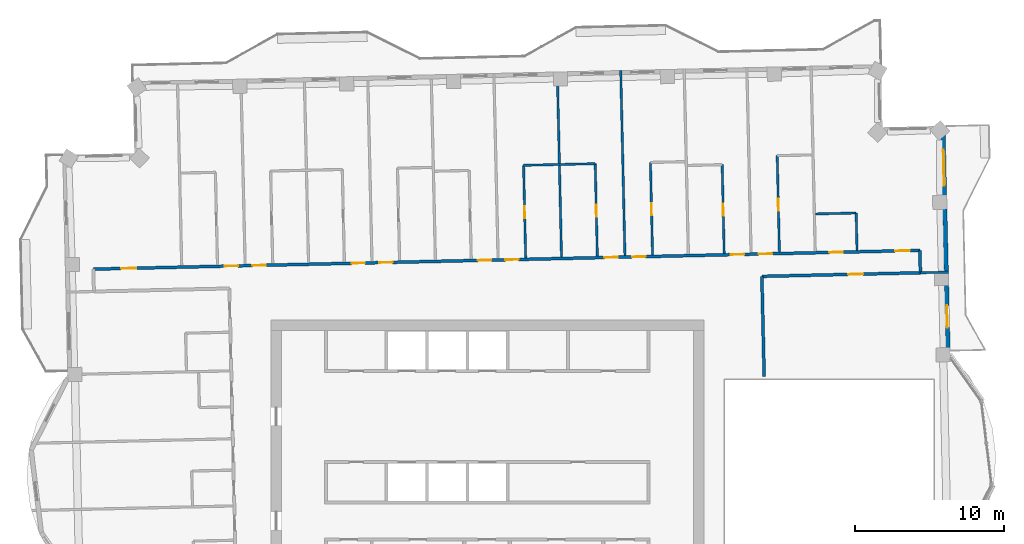
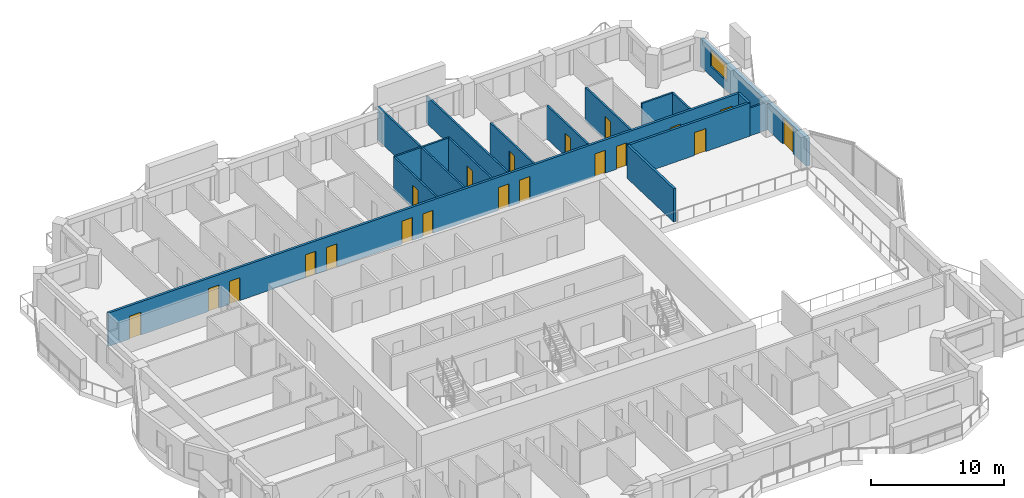
# One storey, part 14 of 19: 20 doors, 16 walls, 1 window, 21 openings.
"""IFC4 building model written with IfcOpenShell, lengths in metres."""

from ifc_helpers import new_model, si_unit, direction, frame, frame_2d, origin, place, context, subcontext, project, spatial, rectangle, extrude, material, layer, layer_set, type_object, element, fill, save


model = new_model("IFC4")

# Units and contexts
model_context = context("Model", 3, precision=1e-05, world=origin(), true_north=direction((0.0, 1.0)))
body_context = subcontext(model_context, "Body", "Model", "MODEL_VIEW")
ifc_project = project(units=[si_unit("LENGTHUNIT", "METRE"), si_unit("AREAUNIT", "SQUARE_METRE"), si_unit("VOLUMEUNIT", "CUBIC_METRE"), si_unit("PLANEANGLEUNIT", "RADIAN"), si_unit("MASSUNIT", "GRAM", prefix="KILO")], contexts=[model_context])

# Site, building, storey
site_placement = place(None, origin())
site = spatial("IfcSite", under=ifc_project, at=site_placement, CompositionType="ELEMENT")
building_placement = place(site_placement, origin())
building = spatial("IfcBuilding", under=site, at=building_placement, Name="Mangrove Gate Tower", CompositionType="ELEMENT")
storey_placement = place(building_placement, frame((0.0, 0.0, 297.89990234375)))
storey = spatial("IfcBuildingStorey", under=building, at=storey_placement, Name="L76", CompositionType="ELEMENT", Elevation=297.89990234375)

# Wall
ifc_material_1 = material(Name="Gypsum board on steel stud, EI 60", Category="steel")
ifc_layer_1 = layer(ifc_material_1, 0.199951171875)
ifc_layer_set_1 = layer_set([ifc_layer_1], Name="Corridor wall EI 60")
wall_type_1 = type_object("IfcWallType", Name="Corridor wall EI 60", PredefinedType="PARTITIONING", material=ifc_layer_set_1)
wall_1_placement = place(storey_placement, frame((18.537109375, 7.714111328125, 0.0), z_axis=(0.0, 0.0, 1.0), x_axis=(-0.022773383809, 0.999740652864, 0.0)))
element("IfcWall", 1, at=wall_1_placement, inside=storey, type_object=wall_type_1, Name="WALL-L76-050", PredefinedType="PARTITIONING", context=body_context, shape_type="SweptSolid", body=[
    extrude(rectangle(XDim=6.7216796875, YDim=0.199951171875, at=frame_2d((3.36083984375, 0.0))), origin(), (0.0, 0.0, 1.0), 3.050048828125),
])

# Wall, opening, door
wall_2_placement = place(storey_placement, frame((18.382080078125, 14.43408203125, 0.0), z_axis=(0.0, 0.0, 1.0), x_axis=(0.999742819156, 0.02267808514, 0.0)))
wall_2 = element("IfcWall", 2, at=wall_2_placement, inside=storey, type_object=wall_type_1, Name="WALL-L76-057", PredefinedType="PARTITIONING", context=body_context, shape_type="SweptSolid", body=[
    extrude(rectangle(XDim=10.62548828125, YDim=0.199951171875, at=frame_2d((5.312744140625, 0.0))), origin(), (0.0, 0.0, 1.0), 3.050048828125),
])
opening_1_placement = place(wall_2_placement, frame((5.777099609375, 0.0, 0.0)))
opening_1 = element("IfcOpeningElement", 3, at=opening_1_placement, cuts=wall_2, Name="Opening AD", PredefinedType="OPENING", context=body_context, shape_type="SweptSolid", body=[
    extrude(rectangle(XDim=1.0, YDim=2.10009765625, at=frame_2d((0.5, 1.050048828125))), frame((0.0, 0.10986328125, 0.0), z_axis=(0.0, -1.0, 0.0), x_axis=(1.0, 0.0, 0.0)), (0.0, 0.0, 1.0), 0.219970703125),
])
ifc_material_2 = material(Name="Timber door leaf", Category="wood")
door_type_1 = type_object("IfcDoorType", Name="Amenity door 1000", OperationType="SINGLE_SWING_LEFT", PredefinedType="DOOR", material=ifc_material_2)
door_1_placement = place(opening_1_placement, origin())
door_1 = element("IfcDoor", 4, at=door_1_placement, inside=storey, type_object=door_type_1, Name="DOOR-L76-LNG-c3b", OperationType="SINGLE_SWING_RIGHT", OverallHeight=2.10009765625, OverallWidth=1.0, PredefinedType="DOOR", context=body_context, shape_type="SweptSolid", body=[
    extrude(rectangle(XDim=1.0, YDim=2.10009765625, at=frame_2d((0.5, 1.050048828125))), frame((0.0, 0.02490234375, 0.0), z_axis=(0.0, -1.0, 0.0), x_axis=(1.0, 0.0, 0.0)), (0.0, 0.0, 1.0), 0.050048828125),
])
fill(opening_1, door_1)

# Wall
wall_3_placement = place(storey_placement, frame((29.001953125, 14.675048828125, 0.0), z_axis=(0.0, 0.0, 1.0), x_axis=(-0.022617910375, 0.999744182344, 0.0)))
element("IfcWall", 5, at=wall_3_placement, inside=storey, type_object=wall_type_1, Name="WALL-L76-058", PredefinedType="PARTITIONING", context=body_context, shape_type="SweptSolid", body=[
    extrude(rectangle(XDim=1.50048828125, YDim=0.199951171875, at=frame_2d((0.750244140625, 0.0))), origin(), (0.0, 0.0, 1.0), 3.050048828125),
])

# Wall, openings, doors
wall_4_placement = place(storey_placement, frame((-26.40087890625, 14.91796875, 0.0), z_axis=(0.0, 0.0, 1.0), x_axis=(0.99974239733, 0.022696673341, 0.0)))
wall_4 = element("IfcWall", 6, at=wall_4_placement, inside=storey, type_object=wall_type_1, Name="WALL-L76-060", PredefinedType="PARTITIONING", context=body_context, shape_type="SweptSolid", body=[
    extrude(rectangle(XDim=55.385986328125, YDim=0.199951171875, at=frame_2d((27.69287109375, 0.0))), origin(), (0.0, 0.0, 1.0), 3.050048828125),
])
opening_2_placement = place(wall_4_placement, frame((53.718017578125, 0.0, 0.0)))
opening_2 = element("IfcOpeningElement", 7, at=opening_2_placement, cuts=wall_4, Name="Opening AD", PredefinedType="OPENING", context=body_context, shape_type="SweptSolid", body=[
    extrude(rectangle(XDim=1.0, YDim=2.10009765625, at=frame_2d((0.5, 1.050048828125))), frame((0.0, 0.10986328125, 0.0), z_axis=(0.0, -1.0, 0.0), x_axis=(1.0, 0.0, 0.0)), (0.0, 0.0, 1.0), 0.219970703125),
])
opening_3_placement = place(wall_4_placement, frame((49.324951171875, 0.0, 0.0)))
opening_3 = element("IfcOpeningElement", 8, at=opening_3_placement, cuts=wall_4, Name="Opening SD", PredefinedType="OPENING", context=body_context, shape_type="SweptSolid", body=[
    extrude(rectangle(XDim=0.89990234375, YDim=2.10009765625, at=frame_2d((0.449951171875, 1.050048828125))), frame((0.0, 0.10986328125, 0.0), z_axis=(0.0, -1.0, 0.0), x_axis=(1.0, 0.0, 0.0)), (0.0, 0.0, 1.0), 0.219970703125),
])
opening_4_placement = place(wall_4_placement, frame((44.574951171875, 0.0, 0.0)))
opening_4 = element("IfcOpeningElement", 9, at=opening_4_placement, cuts=wall_4, Name="Opening BD", PredefinedType="OPENING", context=body_context, shape_type="SweptSolid", body=[
    extrude(rectangle(XDim=0.89990234375, YDim=2.10009765625, at=frame_2d((0.449951171875, 1.050048828125))), frame((0.0, 0.10986328125, 0.0), z_axis=(0.0, -1.0, 0.0), x_axis=(1.0, 0.0, 0.0)), (0.0, 0.0, 1.0), 0.219970703125),
])
opening_5_placement = place(wall_4_placement, frame((42.72509765625, 0.0, 0.0)))
opening_5 = element("IfcOpeningElement", 10, at=opening_5_placement, cuts=wall_4, Name="Opening BD", PredefinedType="OPENING", context=body_context, shape_type="SweptSolid", body=[
    extrude(rectangle(XDim=0.89990234375, YDim=2.10009765625, at=frame_2d((0.449951171875, 1.050048828125))), frame((0.0, 0.10986328125, 0.0), z_axis=(0.0, -1.0, 0.0), x_axis=(1.0, 0.0, 0.0)), (0.0, 0.0, 1.0), 0.219970703125),
])
opening_6_placement = place(wall_4_placement, frame((36.10009765625, 0.0, 0.0)))
opening_6 = element("IfcOpeningElement", 11, at=opening_6_placement, cuts=wall_4, Name="Opening BD", PredefinedType="OPENING", context=body_context, shape_type="SweptSolid", body=[
    extrude(rectangle(XDim=0.89990234375, YDim=2.10009765625, at=frame_2d((0.449951171875, 1.050048828125))), frame((0.0, 0.10986328125, 0.0), z_axis=(0.0, -1.0, 0.0), x_axis=(1.0, 0.0, 0.0)), (0.0, 0.0, 1.0), 0.219970703125),
])
opening_7_placement = place(wall_4_placement, frame((34.25, 0.0, 0.0)))
opening_7 = element("IfcOpeningElement", 12, at=opening_7_placement, cuts=wall_4, Name="Opening BD", PredefinedType="OPENING", context=body_context, shape_type="SweptSolid", body=[
    extrude(rectangle(XDim=0.89990234375, YDim=2.10009765625, at=frame_2d((0.449951171875, 1.050048828125))), frame((0.0, 0.10986328125, 0.0), z_axis=(0.0, -1.0, 0.0), x_axis=(1.0, 0.0, 0.0)), (0.0, 0.0, 1.0), 0.219970703125),
])
opening_8_placement = place(wall_4_placement, frame((27.60009765625, 0.0, 0.0)))
opening_8 = element("IfcOpeningElement", 13, at=opening_8_placement, cuts=wall_4, Name="Opening BD", PredefinedType="OPENING", context=body_context, shape_type="SweptSolid", body=[
    extrude(rectangle(XDim=0.89990234375, YDim=2.10009765625, at=frame_2d((0.449951171875, 1.050048828125))), frame((0.0, 0.10986328125, 0.0), z_axis=(0.0, -1.0, 0.0), x_axis=(1.0, 0.0, 0.0)), (0.0, 0.0, 1.0), 0.219970703125),
])
opening_9_placement = place(wall_4_placement, frame((25.77490234375, 0.0, 0.0)))
opening_9 = element("IfcOpeningElement", 14, at=opening_9_placement, cuts=wall_4, Name="Opening BD", PredefinedType="OPENING", context=body_context, shape_type="SweptSolid", body=[
    extrude(rectangle(XDim=0.89990234375, YDim=2.10009765625, at=frame_2d((0.449951171875, 1.050048828125))), frame((0.0, 0.10986328125, 0.0), z_axis=(0.0, -1.0, 0.0), x_axis=(1.0, 0.0, 0.0)), (0.0, 0.0, 1.0), 0.219970703125),
])
opening_10_placement = place(wall_4_placement, frame((19.14990234375, 0.0, 0.0)))
opening_10 = element("IfcOpeningElement", 15, at=opening_10_placement, cuts=wall_4, Name="Opening BD", PredefinedType="OPENING", context=body_context, shape_type="SweptSolid", body=[
    extrude(rectangle(XDim=0.89990234375, YDim=2.10009765625, at=frame_2d((0.449951171875, 1.050048828125))), frame((0.0, 0.10986328125, 0.0), z_axis=(0.0, -1.0, 0.0), x_axis=(1.0, 0.0, 0.0)), (0.0, 0.0, 1.0), 0.219970703125),
])
opening_11_placement = place(wall_4_placement, frame((17.300048828125, 0.0, 0.0)))
opening_11 = element("IfcOpeningElement", 16, at=opening_11_placement, cuts=wall_4, Name="Opening BD", PredefinedType="OPENING", context=body_context, shape_type="SweptSolid", body=[
    extrude(rectangle(XDim=0.89990234375, YDim=2.10009765625, at=frame_2d((0.449951171875, 1.050048828125))), frame((0.0, 0.10986328125, 0.0), z_axis=(0.0, -1.0, 0.0), x_axis=(1.0, 0.0, 0.0)), (0.0, 0.0, 1.0), 0.219970703125),
])
opening_12_placement = place(wall_4_placement, frame((10.64990234375, 0.0, 0.0)))
opening_12 = element("IfcOpeningElement", 17, at=opening_12_placement, cuts=wall_4, Name="Opening BD", PredefinedType="OPENING", context=body_context, shape_type="SweptSolid", body=[
    extrude(rectangle(XDim=0.89990234375, YDim=2.10009765625, at=frame_2d((0.449951171875, 1.050048828125))), frame((0.0, 0.10986328125, 0.0), z_axis=(0.0, -1.0, 0.0), x_axis=(1.0, 0.0, 0.0)), (0.0, 0.0, 1.0), 0.219970703125),
])
opening_13_placement = place(wall_4_placement, frame((8.800048828125, 0.0, 0.0)))
opening_13 = element("IfcOpeningElement", 18, at=opening_13_placement, cuts=wall_4, Name="Opening BD", PredefinedType="OPENING", context=body_context, shape_type="SweptSolid", body=[
    extrude(rectangle(XDim=0.89990234375, YDim=2.10009765625, at=frame_2d((0.449951171875, 1.050048828125))), frame((0.0, 0.10986328125, 0.0), z_axis=(0.0, -1.0, 0.0), x_axis=(1.0, 0.0, 0.0)), (0.0, 0.0, 1.0), 0.219970703125),
])
opening_14_placement = place(wall_4_placement, frame((1.864013671875, 0.0, 0.0)))
opening_14 = element("IfcOpeningElement", 19, at=opening_14_placement, cuts=wall_4, Name="Opening AD", PredefinedType="OPENING", context=body_context, shape_type="SweptSolid", body=[
    extrude(rectangle(XDim=1.0, YDim=2.10009765625, at=frame_2d((0.5, 1.050048828125))), frame((0.0, 0.10986328125, 0.0), z_axis=(0.0, -1.0, 0.0), x_axis=(1.0, 0.0, 0.0)), (0.0, 0.0, 1.0), 0.219970703125),
])
door_2_placement = place(opening_2_placement, origin())
door_2 = element("IfcDoor", 20, at=door_2_placement, inside=storey, type_object=door_type_1, Name="DOOR-L76-KIT-c3a", OperationType="SINGLE_SWING_LEFT", OverallHeight=2.10009765625, OverallWidth=1.0, PredefinedType="DOOR", context=body_context, shape_type="SweptSolid", body=[
    extrude(rectangle(XDim=1.0, YDim=2.10009765625, at=frame_2d((0.5, 1.050048828125))), frame((0.0, 0.02490234375, 0.0), z_axis=(0.0, -1.0, 0.0), x_axis=(1.0, 0.0, 0.0)), (0.0, 0.0, 1.0), 0.050048828125),
])
fill(opening_2, door_2)
door_3_placement = place(opening_14_placement, origin())
door_3 = element("IfcDoor", 21, at=door_3_placement, inside=storey, type_object=door_type_1, Name="DOOR-L76-STU-c5a", OperationType="SINGLE_SWING_RIGHT", OverallHeight=2.10009765625, OverallWidth=1.0, PredefinedType="DOOR", context=body_context, shape_type="SweptSolid", body=[
    extrude(rectangle(XDim=1.0, YDim=2.10009765625, at=frame_2d((0.5, 1.050048828125))), frame((0.0, 0.02490234375, 0.0), z_axis=(0.0, -1.0, 0.0), x_axis=(1.0, 0.0, 0.0)), (0.0, 0.0, 1.0), 0.050048828125),
])
fill(opening_14, door_3)
ifc_material_3 = material(Name="Timber door leaf", Category="wood")
door_type_2 = type_object("IfcDoorType", Name="Bedroom door 900", OperationType="SINGLE_SWING_LEFT", PredefinedType="DOOR", material=ifc_material_3)
door_4_placement = place(opening_4_placement, origin())
door_4 = element("IfcDoor", 22, at=door_4_placement, inside=storey, type_object=door_type_2, Name="DOOR-L76-BED-c310", OperationType="SINGLE_SWING_RIGHT", OverallHeight=2.10009765625, OverallWidth=0.89990234375, PredefinedType="DOOR", context=body_context, shape_type="SweptSolid", body=[
    extrude(rectangle(XDim=0.89990234375, YDim=2.10009765625, at=frame_2d((0.449951171875, 1.050048828125))), frame((0.0, 0.02490234375, 0.0), z_axis=(0.0, -1.0, 0.0), x_axis=(1.0, 0.0, 0.0)), (0.0, 0.0, 1.0), 0.050048828125),
])
fill(opening_4, door_4)
door_5_placement = place(opening_5_placement, origin())
door_5 = element("IfcDoor", 23, at=door_5_placement, inside=storey, type_object=door_type_2, Name="DOOR-L76-BED-c311", OperationType="SINGLE_SWING_LEFT", OverallHeight=2.10009765625, OverallWidth=0.89990234375, PredefinedType="DOOR", context=body_context, shape_type="SweptSolid", body=[
    extrude(rectangle(XDim=0.89990234375, YDim=2.10009765625, at=frame_2d((0.449951171875, 1.050048828125))), frame((0.0, 0.02490234375, 0.0), z_axis=(0.0, -1.0, 0.0), x_axis=(1.0, 0.0, 0.0)), (0.0, 0.0, 1.0), 0.050048828125),
])
fill(opening_5, door_5)
door_6_placement = place(opening_6_placement, origin())
door_6 = element("IfcDoor", 24, at=door_6_placement, inside=storey, type_object=door_type_2, Name="DOOR-L76-BED-c312", OperationType="SINGLE_SWING_RIGHT", OverallHeight=2.10009765625, OverallWidth=0.89990234375, PredefinedType="DOOR", context=body_context, shape_type="SweptSolid", body=[
    extrude(rectangle(XDim=0.89990234375, YDim=2.10009765625, at=frame_2d((0.449951171875, 1.050048828125))), frame((0.0, 0.02490234375, 0.0), z_axis=(0.0, -1.0, 0.0), x_axis=(1.0, 0.0, 0.0)), (0.0, 0.0, 1.0), 0.050048828125),
])
fill(opening_6, door_6)
door_7_placement = place(opening_7_placement, origin())
door_7 = element("IfcDoor", 25, at=door_7_placement, inside=storey, type_object=door_type_2, Name="DOOR-L76-BED-c413", OperationType="SINGLE_SWING_LEFT", OverallHeight=2.10009765625, OverallWidth=0.89990234375, PredefinedType="DOOR", context=body_context, shape_type="SweptSolid", body=[
    extrude(rectangle(XDim=0.89990234375, YDim=2.10009765625, at=frame_2d((0.449951171875, 1.050048828125))), frame((0.0, 0.02490234375, 0.0), z_axis=(0.0, -1.0, 0.0), x_axis=(1.0, 0.0, 0.0)), (0.0, 0.0, 1.0), 0.050048828125),
])
fill(opening_7, door_7)
door_8_placement = place(opening_8_placement, origin())
door_8 = element("IfcDoor", 26, at=door_8_placement, inside=storey, type_object=door_type_2, Name="DOOR-L76-BED-c414", OperationType="SINGLE_SWING_RIGHT", OverallHeight=2.10009765625, OverallWidth=0.89990234375, PredefinedType="DOOR", context=body_context, shape_type="SweptSolid", body=[
    extrude(rectangle(XDim=0.89990234375, YDim=2.10009765625, at=frame_2d((0.449951171875, 1.050048828125))), frame((0.0, 0.02490234375, 0.0), z_axis=(0.0, -1.0, 0.0), x_axis=(1.0, 0.0, 0.0)), (0.0, 0.0, 1.0), 0.050048828125),
])
fill(opening_8, door_8)
door_9_placement = place(opening_9_placement, origin())
door_9 = element("IfcDoor", 27, at=door_9_placement, inside=storey, type_object=door_type_2, Name="DOOR-L76-BED-c415", OperationType="SINGLE_SWING_LEFT", OverallHeight=2.10009765625, OverallWidth=0.89990234375, PredefinedType="DOOR", context=body_context, shape_type="SweptSolid", body=[
    extrude(rectangle(XDim=0.89990234375, YDim=2.10009765625, at=frame_2d((0.449951171875, 1.050048828125))), frame((0.0, 0.02490234375, 0.0), z_axis=(0.0, -1.0, 0.0), x_axis=(1.0, 0.0, 0.0)), (0.0, 0.0, 1.0), 0.050048828125),
])
fill(opening_9, door_9)
door_10_placement = place(opening_10_placement, origin())
door_10 = element("IfcDoor", 28, at=door_10_placement, inside=storey, type_object=door_type_2, Name="DOOR-L76-BED-c416", OperationType="SINGLE_SWING_RIGHT", OverallHeight=2.10009765625, OverallWidth=0.89990234375, PredefinedType="DOOR", context=body_context, shape_type="SweptSolid", body=[
    extrude(rectangle(XDim=0.89990234375, YDim=2.10009765625, at=frame_2d((0.449951171875, 1.050048828125))), frame((0.0, 0.02490234375, 0.0), z_axis=(0.0, -1.0, 0.0), x_axis=(1.0, 0.0, 0.0)), (0.0, 0.0, 1.0), 0.050048828125),
])
fill(opening_10, door_10)
door_11_placement = place(opening_11_placement, origin())
door_11 = element("IfcDoor", 29, at=door_11_placement, inside=storey, type_object=door_type_2, Name="DOOR-L76-BED-c517", OperationType="SINGLE_SWING_LEFT", OverallHeight=2.10009765625, OverallWidth=0.89990234375, PredefinedType="DOOR", context=body_context, shape_type="SweptSolid", body=[
    extrude(rectangle(XDim=0.89990234375, YDim=2.10009765625, at=frame_2d((0.449951171875, 1.050048828125))), frame((0.0, 0.02490234375, 0.0), z_axis=(0.0, -1.0, 0.0), x_axis=(1.0, 0.0, 0.0)), (0.0, 0.0, 1.0), 0.050048828125),
])
fill(opening_11, door_11)
door_12_placement = place(opening_12_placement, origin())
door_12 = element("IfcDoor", 30, at=door_12_placement, inside=storey, type_object=door_type_2, Name="DOOR-L76-BED-c518", OperationType="SINGLE_SWING_RIGHT", OverallHeight=2.10009765625, OverallWidth=0.89990234375, PredefinedType="DOOR", context=body_context, shape_type="SweptSolid", body=[
    extrude(rectangle(XDim=0.89990234375, YDim=2.10009765625, at=frame_2d((0.449951171875, 1.050048828125))), frame((0.0, 0.02490234375, 0.0), z_axis=(0.0, -1.0, 0.0), x_axis=(1.0, 0.0, 0.0)), (0.0, 0.0, 1.0), 0.050048828125),
])
fill(opening_12, door_12)
door_13_placement = place(opening_13_placement, origin())
door_13 = element("IfcDoor", 31, at=door_13_placement, inside=storey, type_object=door_type_2, Name="DOOR-L76-BED-c519", OperationType="SINGLE_SWING_LEFT", OverallHeight=2.10009765625, OverallWidth=0.89990234375, PredefinedType="DOOR", context=body_context, shape_type="SweptSolid", body=[
    extrude(rectangle(XDim=0.89990234375, YDim=2.10009765625, at=frame_2d((0.449951171875, 1.050048828125))), frame((0.0, 0.02490234375, 0.0), z_axis=(0.0, -1.0, 0.0), x_axis=(1.0, 0.0, 0.0)), (0.0, 0.0, 1.0), 0.050048828125),
])
fill(opening_13, door_13)
ifc_material_4 = material(Name="Timber door leaf", Category="wood")
door_type_3 = type_object("IfcDoorType", Name="Service room door 900", OperationType="SINGLE_SWING_LEFT", PredefinedType="DOOR", material=ifc_material_4)
door_14_placement = place(opening_3_placement, origin())
door_14 = element("IfcDoor", 32, at=door_14_placement, inside=storey, type_object=door_type_3, Name="DOOR-L76-LDY-c3a", OperationType="SINGLE_SWING_RIGHT", OverallHeight=2.10009765625, OverallWidth=0.89990234375, PredefinedType="DOOR", context=body_context, shape_type="SweptSolid", body=[
    extrude(rectangle(XDim=0.89990234375, YDim=2.10009765625, at=frame_2d((0.449951171875, 1.050048828125))), frame((0.0, 0.02490234375, 0.0), z_axis=(0.0, -1.0, 0.0), x_axis=(1.0, 0.0, 0.0)), (0.0, 0.0, 1.0), 0.050048828125),
])
fill(opening_3, door_14)

# Wall, openings, door, window
ifc_material_5 = material(Name="Limestone", Category="masonry")
ifc_layer_2 = layer(ifc_material_5, 0.0400390625, Name="Limestone cladding")
ifc_material_6 = material(Name="Ventilated air gap")
ifc_layer_3 = layer(ifc_material_6, 0.0400390625, Name="Ventilated cavity")
ifc_material_7 = material(Name="Mineral wool insulation")
ifc_layer_4 = layer(ifc_material_7, 0.06005859375, Name="Insulation")
ifc_material_8 = material(Name="Breather membrane")
ifc_layer_5 = layer(ifc_material_8, 0.001953125, Name="Breather membrane")
ifc_material_9 = material(Name="Concrete C20/25 blockwork", Category="masonry")
ifc_layer_6 = layer(ifc_material_9, 0.14990234375, Name="Blockwork backing wall")
ifc_material_10 = material(Name="Gypsum plaster")
ifc_layer_7 = layer(ifc_material_10, 0.008056640625, Name="Internal plaster")
ifc_layer_set_2 = layer_set([ifc_layer_2, ifc_layer_3, ifc_layer_4, ifc_layer_5, ifc_layer_6, ifc_layer_7], Name="External wall 300 limestone cladding")
wall_type_2 = type_object("IfcWallType", Name="External wall 300 limestone cladding", PredefinedType="SOLIDWALL", material=ifc_layer_set_2)
wall_5_placement = place(storey_placement, frame((30.85791015625, 9.031982421875, 0.0), z_axis=(0.0, 0.0, 1.0), x_axis=(-0.022688132126, 0.999742591201, 0.0)))
wall_5 = element("IfcWall", 33, at=wall_5_placement, inside=storey, type_object=wall_type_2, Name="WALL-L76-E2s1", PredefinedType="SOLIDWALL", context=body_context, shape_type="SweptSolid", body=[
    extrude(rectangle(XDim=15.333984375, YDim=0.300048828125, at=frame_2d((7.6669921875, 0.0))), origin(), (0.0, 0.0, 1.0), 2.550048828125),
])
opening_15_placement = place(wall_5_placement, frame((1.962890625, 0.0, 0.0)))
opening_15 = element("IfcOpeningElement", 34, at=opening_15_placement, cuts=wall_5, Name="Opening BD1", PredefinedType="OPENING", context=body_context, shape_type="SweptSolid", body=[
    extrude(rectangle(XDim=1.5, YDim=2.39990234375, at=frame_2d((0.75, 1.199951171875))), frame((0.0, 0.159912109375, 0.0), z_axis=(0.0, -1.0, 0.0), x_axis=(1.0, 0.0, 0.0)), (0.0, 0.0, 1.0), 0.320068359375),
])
opening_16_placement = place(wall_5_placement, frame((11.48193359375, 0.0, 0.89990234375)))
opening_16 = element("IfcOpeningElement", 35, at=opening_16_placement, cuts=wall_5, Name="Opening W2", PredefinedType="OPENING", context=body_context, shape_type="SweptSolid", body=[
    extrude(rectangle(XDim=2.39990234375, YDim=1.5, at=frame_2d((1.199951171875, 0.75))), frame((0.0, 0.159912109375, 0.0), z_axis=(0.0, -1.0, 0.0), x_axis=(1.0, 0.0, 0.0)), (0.0, 0.0, 1.0), 0.320068359375),
])
ifc_material_11 = material(Name="Aluminium frame with laminated clear glass", Category="aluminium")
door_type_4 = type_object("IfcDoorType", Name="Balcony sliding door 1500x2400", OperationType="SLIDING_TO_LEFT", PredefinedType="DOOR", material=ifc_material_11)
door_15_placement = place(opening_15_placement, origin())
door_15 = element("IfcDoor", 36, at=door_15_placement, inside=storey, type_object=door_type_4, Name="DOOR-L76-E2-1", OperationType="SLIDING_TO_LEFT", OverallHeight=2.39990234375, OverallWidth=1.5, PredefinedType="DOOR", context=body_context, shape_type="SweptSolid", body=[
    extrude(rectangle(XDim=1.5, YDim=2.39990234375, at=frame_2d((0.75, 1.199951171875))), frame((0.0, 0.02490234375, 0.0), z_axis=(0.0, -1.0, 0.0), x_axis=(1.0, 0.0, 0.0)), (0.0, 0.0, 1.0), 0.050048828125),
])
fill(opening_15, door_15)
ifc_material_12 = material(Name="Aluminium frame with double-glazed low-e glass", Category="aluminium")
window_type = type_object("IfcWindowType", Name="Corner room window 2400x1500", PartitioningType="DOUBLE_PANEL_VERTICAL", PredefinedType="WINDOW", material=ifc_material_12)
window_placement = place(opening_16_placement, origin())
window = element("IfcWindow", 37, at=window_placement, inside=storey, type_object=window_type, Name="WIN-L76-E2-2", OverallHeight=1.5, OverallWidth=2.39990234375, PartitioningType="DOUBLE_PANEL_VERTICAL", PredefinedType="WINDOW", context=body_context, shape_type="SweptSolid", body=[
    extrude(rectangle(XDim=2.39990234375, YDim=1.5, at=frame_2d((1.199951171875, 0.75))), frame((0.0, 0.030029296875, 0.0), z_axis=(0.0, -1.0, 0.0), x_axis=(1.0, 0.0, 0.0)), (0.0, 0.0, 1.0), 0.06005859375),
])
fill(opening_16, window)

# Wall
ifc_material_13 = material(Name="Gypsum board on steel stud, EI 60", Category="steel")
ifc_layer_8 = layer(ifc_material_13, 0.14990234375)
ifc_layer_set_3 = layer_set([ifc_layer_8], Name="Party wall 150 EI 60")
wall_type_3 = type_object("IfcWallType", Name="Party wall 150 EI 60", PredefinedType="PARTITIONING", material=ifc_layer_set_3)
wall_6_placement = place(storey_placement, frame((29.0048828125, 14.675048828125, 0.0), z_axis=(0.0, 0.0, 1.0), x_axis=(0.999737243051, 0.022922583999, 0.0)))
element("IfcWall", 38, at=wall_6_placement, inside=storey, type_object=wall_type_3, Name="WALL-L76-059", PredefinedType="PARTITIONING", context=body_context, shape_type="SweptSolid", body=[
    extrude(rectangle(XDim=1.87451171875, YDim=0.14990234375, at=frame_2d((0.937255859375, 0.0))), origin(), (0.0, 0.0, 1.0), 2.550048828125),
])

# Wall, opening, door
wall_7_placement = place(storey_placement, frame((2.56201171875, 15.675048828125, 0.0), z_axis=(0.0, 0.0, 1.0), x_axis=(-0.02275807565, 0.999741001456, 0.0)))
wall_7 = element("IfcWall", 39, at=wall_7_placement, inside=storey, type_object=wall_type_3, Name="WALL-L76-072", PredefinedType="PARTITIONING", context=body_context, shape_type="SweptSolid", body=[
    extrude(rectangle(XDim=6.20068359375, YDim=0.14990234375, at=frame_2d((3.100341796875, 0.0))), origin(), (0.0, 0.0, 1.0), 3.050048828125),
])
opening_17_placement = place(wall_7_placement, frame((2.64990234375, 0.0, 0.0)))
opening_17 = element("IfcOpeningElement", 40, at=opening_17_placement, cuts=wall_7, Name="Opening ED", PredefinedType="OPENING", context=body_context, shape_type="SweptSolid", body=[
    extrude(rectangle(XDim=0.800048828125, YDim=2.10009765625, at=frame_2d((0.39990234375, 1.050048828125))), frame((0.0, 0.0849609375, 0.0), z_axis=(0.0, -1.0, 0.0), x_axis=(1.0, 0.0, 0.0)), (0.0, 0.0, 1.0), 0.169921875),
])
ifc_material_14 = material(Name="Timber door leaf", Category="wood")
door_type_5 = type_object("IfcDoorType", Name="En-suite door 800", OperationType="SINGLE_SWING_LEFT", PredefinedType="DOOR", material=ifc_material_14)
door_16_placement = place(opening_17_placement, origin())
door_16 = element("IfcDoor", 41, at=door_16_placement, inside=storey, type_object=door_type_5, Name="DOOR-L76-ENS-c414", OperationType="SINGLE_SWING_RIGHT", OverallHeight=2.10009765625, OverallWidth=0.800048828125, PredefinedType="DOOR", context=body_context, shape_type="SweptSolid", body=[
    extrude(rectangle(XDim=0.800048828125, YDim=2.10009765625, at=frame_2d((0.39990234375, 1.050048828125))), frame((0.0, 0.02490234375, 0.0), z_axis=(0.0, -1.0, 0.0), x_axis=(1.0, 0.0, 0.0)), (0.0, 0.0, 1.0), 0.050048828125),
])
fill(opening_17, door_16)

# Wall
wall_8_placement = place(storey_placement, frame((4.9609375, 15.72998046875, 0.0), z_axis=(0.0, 0.0, 1.0), x_axis=(-0.022661475803, 0.999743195783, 0.0)))
element("IfcWall", 42, at=wall_8_placement, inside=storey, type_object=wall_type_3, Name="WALL-L76-073", PredefinedType="PARTITIONING", context=body_context, shape_type="SweptSolid", body=[
    extrude(rectangle(XDim=12.400146484375, YDim=0.14990234375, at=frame_2d((6.2001953125, 0.0))), origin(), (0.0, 0.0, 1.0), 3.050048828125),
])

# Wall, opening, door
wall_9_placement = place(storey_placement, frame((7.361083984375, 15.783935546875, 0.0), z_axis=(0.0, 0.0, 1.0), x_axis=(-0.02275807565, 0.999741001456, 0.0)))
wall_9 = element("IfcWall", 43, at=wall_9_placement, inside=storey, type_object=wall_type_3, Name="WALL-L76-074", PredefinedType="PARTITIONING", context=body_context, shape_type="SweptSolid", body=[
    extrude(rectangle(XDim=6.20068359375, YDim=0.14990234375, at=frame_2d((3.100341796875, 0.0))), origin(), (0.0, 0.0, 1.0), 3.050048828125),
])
opening_18_placement = place(wall_9_placement, frame((2.64990234375, 0.0, 0.0)))
opening_18 = element("IfcOpeningElement", 44, at=opening_18_placement, cuts=wall_9, Name="Opening ED", PredefinedType="OPENING", context=body_context, shape_type="SweptSolid", body=[
    extrude(rectangle(XDim=0.800048828125, YDim=2.10009765625, at=frame_2d((0.39990234375, 1.050048828125))), frame((0.0, 0.0849609375, 0.0), z_axis=(0.0, -1.0, 0.0), x_axis=(1.0, 0.0, 0.0)), (0.0, 0.0, 1.0), 0.169921875),
])
door_17_placement = place(opening_18_placement, origin())
door_17 = element("IfcDoor", 45, at=door_17_placement, inside=storey, type_object=door_type_5, Name="DOOR-L76-ENS-c413", OperationType="SINGLE_SWING_LEFT", OverallHeight=2.10009765625, OverallWidth=0.800048828125, PredefinedType="DOOR", context=body_context, shape_type="SweptSolid", body=[
    extrude(rectangle(XDim=0.800048828125, YDim=2.10009765625, at=frame_2d((0.39990234375, 1.050048828125))), frame((0.0, 0.02490234375, 0.0), z_axis=(0.0, -1.0, 0.0), x_axis=(1.0, 0.0, 0.0)), (0.0, 0.0, 1.0), 0.050048828125),
])
fill(opening_18, door_17)

# Wall
wall_10_placement = place(storey_placement, frame((9.2099609375, 15.825927734375, 0.0), z_axis=(0.0, 0.0, 1.0), x_axis=(-0.022661475803, 0.999743195783, 0.0)))
element("IfcWall", 46, at=wall_10_placement, inside=storey, type_object=wall_type_3, Name="WALL-L76-075", PredefinedType="PARTITIONING", context=body_context, shape_type="SweptSolid", body=[
    extrude(rectangle(XDim=12.400146484375, YDim=0.14990234375, at=frame_2d((6.2001953125, 0.0))), origin(), (0.0, 0.0, 1.0), 2.5),
])

# Wall, opening, door
wall_11_placement = place(storey_placement, frame((11.06005859375, 15.867919921875, 0.0), z_axis=(0.0, 0.0, 1.0), x_axis=(-0.02275807565, 0.999741001456, 0.0)))
wall_11 = element("IfcWall", 47, at=wall_11_placement, inside=storey, type_object=wall_type_3, Name="WALL-L76-076", PredefinedType="PARTITIONING", context=body_context, shape_type="SweptSolid", body=[
    extrude(rectangle(XDim=6.20068359375, YDim=0.14990234375, at=frame_2d((3.100341796875, 0.0))), origin(), (0.0, 0.0, 1.0), 3.050048828125),
])
opening_19_placement = place(wall_11_placement, frame((2.64990234375, 0.0, 0.0)))
opening_19 = element("IfcOpeningElement", 48, at=opening_19_placement, cuts=wall_11, Name="Opening ED", PredefinedType="OPENING", context=body_context, shape_type="SweptSolid", body=[
    extrude(rectangle(XDim=0.800048828125, YDim=2.10009765625, at=frame_2d((0.39990234375, 1.050048828125))), frame((0.0, 0.0849609375, 0.0), z_axis=(0.0, -1.0, 0.0), x_axis=(1.0, 0.0, 0.0)), (0.0, 0.0, 1.0), 0.169921875),
])
door_18_placement = place(opening_19_placement, origin())
door_18 = element("IfcDoor", 49, at=door_18_placement, inside=storey, type_object=door_type_5, Name="DOOR-L76-ENS-c312", OperationType="SINGLE_SWING_RIGHT", OverallHeight=2.10009765625, OverallWidth=0.800048828125, PredefinedType="DOOR", context=body_context, shape_type="SweptSolid", body=[
    extrude(rectangle(XDim=0.800048828125, YDim=2.10009765625, at=frame_2d((0.39990234375, 1.050048828125))), frame((0.0, 0.02490234375, 0.0), z_axis=(0.0, -1.0, 0.0), x_axis=(1.0, 0.0, 0.0)), (0.0, 0.0, 1.0), 0.050048828125),
])
fill(opening_19, door_18)

wall_12_placement = place(storey_placement, frame((15.85888671875, 15.97705078125, 0.0), z_axis=(0.0, 0.0, 1.0), x_axis=(-0.022685930195, 0.999742641169, 0.0)))
wall_12 = element("IfcWall", 50, at=wall_12_placement, inside=storey, type_object=wall_type_3, Name="WALL-L76-078", PredefinedType="PARTITIONING", context=body_context, shape_type="SweptSolid", body=[
    extrude(rectangle(XDim=5.9404296875, YDim=0.14990234375, at=frame_2d((2.97021484375, 0.0))), origin(), (0.0, 0.0, 1.0), 3.050048828125),
])
opening_20_placement = place(wall_12_placement, frame((2.52001953125, 0.0, 0.0)))
opening_20 = element("IfcOpeningElement", 51, at=opening_20_placement, cuts=wall_12, Name="Opening ED", PredefinedType="OPENING", context=body_context, shape_type="SweptSolid", body=[
    extrude(rectangle(XDim=0.800048828125, YDim=2.10009765625, at=frame_2d((0.39990234375, 1.050048828125))), frame((0.0, 0.0849609375, 0.0), z_axis=(0.0, -1.0, 0.0), x_axis=(1.0, 0.0, 0.0)), (0.0, 0.0, 1.0), 0.169921875),
])
door_19_placement = place(opening_20_placement, origin())
door_19 = element("IfcDoor", 52, at=door_19_placement, inside=storey, type_object=door_type_5, Name="DOOR-L76-ENS-c311", OperationType="SINGLE_SWING_LEFT", OverallHeight=2.10009765625, OverallWidth=0.800048828125, PredefinedType="DOOR", context=body_context, shape_type="SweptSolid", body=[
    extrude(rectangle(XDim=0.800048828125, YDim=2.10009765625, at=frame_2d((0.39990234375, 1.050048828125))), frame((0.0, 0.02490234375, 0.0), z_axis=(0.0, -1.0, 0.0), x_axis=(1.0, 0.0, 0.0)), (0.0, 0.0, 1.0), 0.050048828125),
])
fill(opening_20, door_19)

wall_13_placement = place(storey_placement, frame((19.55810546875, 16.06103515625, 0.0), z_axis=(0.0, 0.0, 1.0), x_axis=(-0.022790087107, 0.999740272236, 0.0)))
wall_13 = element("IfcWall", 53, at=wall_13_placement, inside=storey, type_object=wall_type_3, Name="WALL-L76-080", PredefinedType="PARTITIONING", context=body_context, shape_type="SweptSolid", body=[
    extrude(rectangle(XDim=6.459716796875, YDim=0.14990234375, at=frame_2d((3.22998046875, 0.0))), origin(), (0.0, 0.0, 1.0), 3.050048828125),
])
opening_21_placement = place(wall_13_placement, frame((2.780029296875, 0.0, 0.0)))
opening_21 = element("IfcOpeningElement", 54, at=opening_21_placement, cuts=wall_13, Name="Opening ED", PredefinedType="OPENING", context=body_context, shape_type="SweptSolid", body=[
    extrude(rectangle(XDim=0.800048828125, YDim=2.10009765625, at=frame_2d((0.39990234375, 1.050048828125))), frame((0.0, 0.0849609375, 0.0), z_axis=(0.0, -1.0, 0.0), x_axis=(1.0, 0.0, 0.0)), (0.0, 0.0, 1.0), 0.169921875),
])
door_20_placement = place(opening_21_placement, origin())
door_20 = element("IfcDoor", 55, at=door_20_placement, inside=storey, type_object=door_type_5, Name="DOOR-L76-ENS-c310", OperationType="SINGLE_SWING_RIGHT", OverallHeight=2.10009765625, OverallWidth=0.800048828125, PredefinedType="DOOR", context=body_context, shape_type="SweptSolid", body=[
    extrude(rectangle(XDim=0.800048828125, YDim=2.10009765625, at=frame_2d((0.39990234375, 1.050048828125))), frame((0.0, 0.02490234375, 0.0), z_axis=(0.0, -1.0, 0.0), x_axis=(1.0, 0.0, 0.0)), (0.0, 0.0, 1.0), 0.050048828125),
])
fill(opening_21, door_20)

# Walls
wall_14_placement = place(storey_placement, frame((24.756103515625, 16.178955078125, 0.0), z_axis=(0.0, 0.0, 1.0), x_axis=(-0.022464044534, 0.999747651512, 0.0)))
element("IfcWall", 56, at=wall_14_placement, inside=storey, type_object=wall_type_3, Name="WALL-L76-082", PredefinedType="PARTITIONING", context=body_context, shape_type="SweptSolid", body=[
    extrude(rectangle(XDim=2.499755859375, YDim=0.14990234375, at=frame_2d((1.25, 0.0))), origin(), (0.0, 0.0, 1.0), 3.050048828125),
])
wall_15_placement = place(storey_placement, frame((21.97705078125, 18.616943359375, 0.0), z_axis=(0.0, 0.0, 1.0), x_axis=(0.999749227207, 0.022393809408, 0.0)))
element("IfcWall", 57, at=wall_15_placement, inside=storey, type_object=wall_type_3, Name="WALL-L76-083", PredefinedType="PARTITIONING", context=body_context, shape_type="SweptSolid", body=[
    extrude(rectangle(XDim=2.7255859375, YDim=0.14990234375, at=frame_2d((1.36279296875, 0.0))), origin(), (0.0, 0.0, 1.0), 3.050048828125),
])
wall_16_placement = place(storey_placement, frame((2.423095703125, 21.8740234375, 0.0), z_axis=(0.0, 0.0, 1.0), x_axis=(0.999742675121, 0.022684433919, 0.0)))
element("IfcWall", 58, at=wall_16_placement, inside=storey, type_object=wall_type_3, Name="WALL-L76-089", PredefinedType="PARTITIONING", context=body_context, shape_type="SweptSolid", body=[
    extrude(rectangle(XDim=4.800048828125, YDim=0.14990234375, at=frame_2d((2.39990234375, 0.0))), origin(), (0.0, 0.0, 1.0), 3.050048828125),
])

save(model, "model.ifc")
